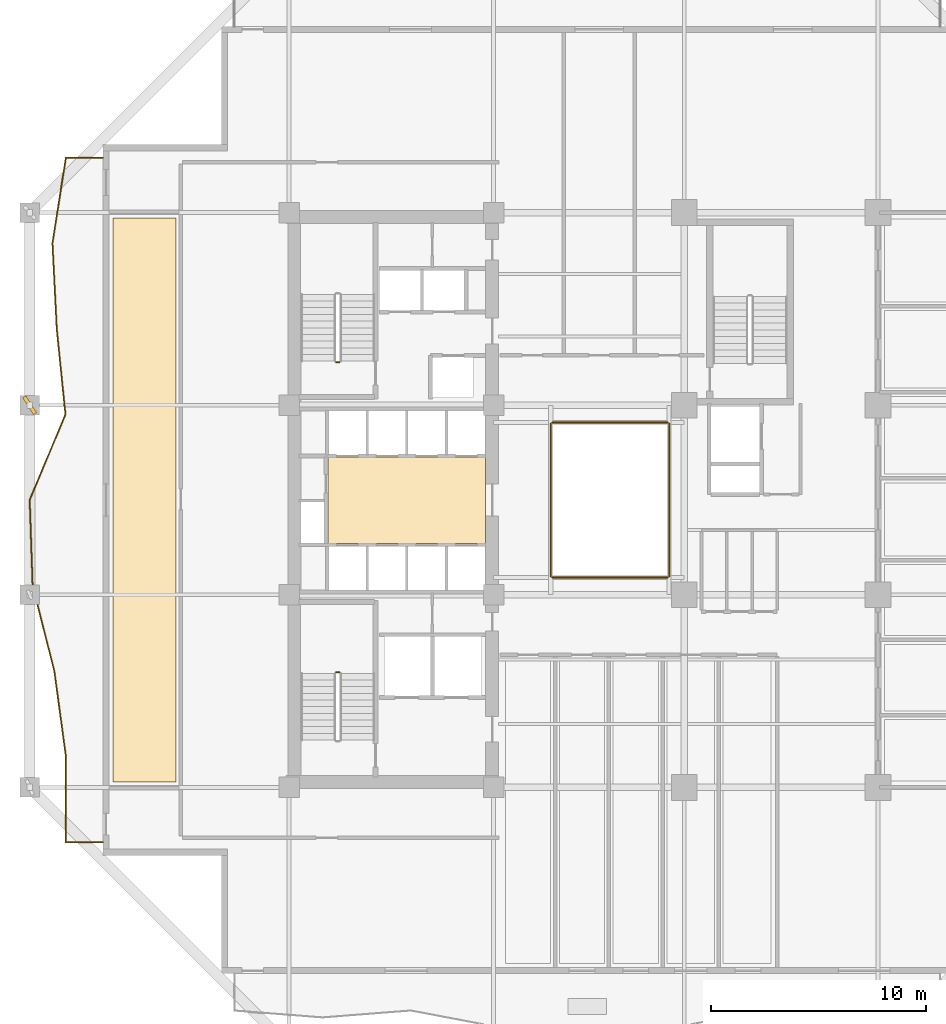
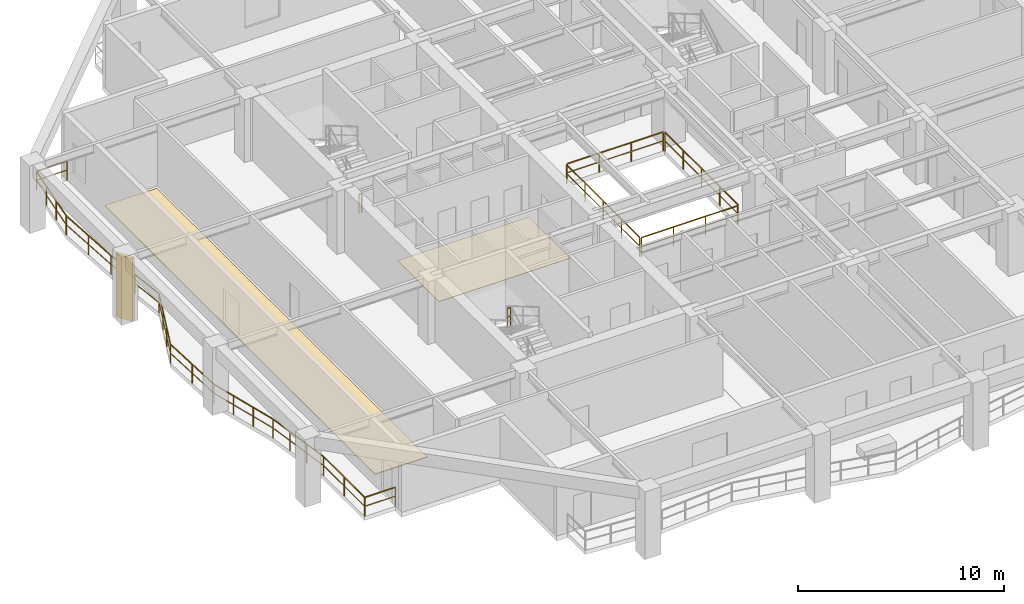
# One storey, part 9 of 13: 7 railings, 2 coverings, 1 shading device.
"""IFC4 building model written with IfcOpenShell, lengths in metres."""

from ifc_helpers import new_model, si_unit, direction, frame, origin, origin_2d, place, context, subcontext, project, spatial, polyline, rectangle, outline, extrude, material, layer, layer_set, type_object, element, save


model = new_model("IFC4")

# Units and contexts
model_context = context("Model", 3, precision=1e-05, world=origin(), true_north=direction((0.0, 1.0)))
body_context = subcontext(model_context, "Body", "Model", "MODEL_VIEW")
ifc_project = project(units=[si_unit("LENGTHUNIT", "METRE"), si_unit("AREAUNIT", "SQUARE_METRE"), si_unit("VOLUMEUNIT", "CUBIC_METRE"), si_unit("PLANEANGLEUNIT", "RADIAN"), si_unit("MASSUNIT", "GRAM", prefix="KILO")], contexts=[model_context])

# Site, building, storey
site_placement = place(None, origin())
site = spatial("IfcSite", under=ifc_project, at=site_placement, CompositionType="ELEMENT")
building_placement = place(site_placement, origin())
building = spatial("IfcBuilding", under=site, at=building_placement, Name="Kundavana Baori Tower", CompositionType="ELEMENT")
storey_placement = place(building_placement, frame((0.0, 0.0, 70.0)))
storey = spatial("IfcBuildingStorey", under=building, at=storey_placement, Name="L16", CompositionType="ELEMENT", Elevation=70.0)

# Coverings
ifc_material_1 = material(Name="Honed Kota Stone and Terrazzo Flooring", Category="masonry")
ifc_layer_1 = layer(ifc_material_1, 0.0400390625, Name="COV-FLR-TERR-40")
ifc_layer_set_1 = layer_set([ifc_layer_1], Name="Honed Kota Stone and Terrazzo Flooring")
covering_type_1 = type_object("IfcCoveringType", Name="COV-FLR-TERR-40", PredefinedType="FLOORING", material=ifc_layer_set_1)
covering_1_placement = place(storey_placement, origin())
element("IfcCovering", 1, at=covering_1_placement, inside=storey, type_object=covering_type_1, Name="L16 Room Finished Stone Flooring 1", PredefinedType="FLOORING", context=body_context, shape_type="SweptSolid", body=[
    extrude(outline(polyline([(7.280029296875, 15.5), (10.199951171875, 15.5), (10.199951171875, 41.699951171875), (7.280029296875, 41.699951171875), (7.280029296875, 15.5)])), origin(), (0.0, 0.0, 1.0), 0.0400390625),
])
ifc_material_2 = material(Name="Honed Kota Stone and Terrazzo Flooring", Category="masonry")
ifc_layer_2 = layer(ifc_material_2, 0.030029296875, Name="COV-INT-FLR")
ifc_layer_set_2 = layer_set([ifc_layer_2], Name="Honed Kota Stone and Terrazzo Flooring")
covering_type_2 = type_object("IfcCoveringType", Name="COV-INT-FLR", PredefinedType="FLOORING", material=ifc_layer_set_2)
covering_2_placement = place(storey_placement, origin())
element("IfcCovering", 2, at=covering_2_placement, inside=storey, type_object=covering_type_2, Name="L16 Core Lift Lobby Kota Stone Flooring", PredefinedType="FLOORING", context=body_context, shape_type="SweptSolid", body=[
    extrude(outline(polyline([(17.25, 26.580078125), (24.580078125, 26.580078125), (24.580078125, 30.60009765625), (17.25, 30.60009765625), (17.25, 26.580078125)])), origin(), (0.0, 0.0, 1.0), 0.030029296875),
])

# Railings
ifc_material_3 = material(Name="Architectural Patinated Bronze Metalwork")
railing_type_1 = type_object("IfcRailingType", Name="RL-BAL-1150", PredefinedType="BALUSTRADE", material=ifc_material_3)
railing_1_placement = place(storey_placement, frame((6.800048828125, 12.699951171875, 0.0)))
element("IfcRailing", 3, at=railing_1_placement, inside=storey, type_object=railing_type_1, Name="L16 Loggia Balcony Balustrade W", PredefinedType="BALUSTRADE", context=body_context, shape_type="SweptSolid", body=[
    extrude(rectangle(XDim=0.048095703125, YDim=0.048095703125, at=origin_2d()), frame((0.0, 0.0, 1.1259765625), z_axis=(-1.0, 0.0, 0.0), x_axis=(0.0, -1.0, 0.0)), (0.0, 0.0, 1.0), 1.719970703125),
    extrude(rectangle(XDim=0.03125, YDim=0.03125, at=origin_2d()), frame((0.0, 0.0, 0.597900390625), z_axis=(-1.0, 0.0, 0.0), x_axis=(0.0, -1.0, 0.0)), (0.0, 0.0, 1.0), 1.719970703125),
    extrude(rectangle(XDim=0.048095703125, YDim=0.048095703125, at=origin_2d()), frame((-1.719970703125, 0.0, 1.1259765625), z_axis=(0.0, 1.0, 0.0), x_axis=(-1.0, 0.0, 0.0)), (0.0, 0.0, 1.0), 3.97509765625),
    extrude(rectangle(XDim=0.03125, YDim=0.03125, at=origin_2d()), frame((-1.719970703125, 0.0, 0.597900390625), z_axis=(0.0, 1.0, 0.0), x_axis=(-1.0, 0.0, 0.0)), (0.0, 0.0, 1.0), 3.97509765625),
    extrude(rectangle(XDim=0.048095703125, YDim=0.048095703125, at=origin_2d()), frame((-1.719970703125, 3.97509765625, 1.1259765625), z_axis=(-0.133909818093, 0.990993521986, 0.0), x_axis=(-0.990993521986, -0.133909818093, 0.0)), (0.0, 0.0, 1.0), 4.010986328125),
    extrude(rectangle(XDim=0.03125, YDim=0.03125, at=origin_2d()), frame((-1.719970703125, 3.97509765625, 0.597900390625), z_axis=(-0.133909818093, 0.990993521986, 0.0), x_axis=(-0.990993521986, -0.133909818093, 0.0)), (0.0, 0.0, 1.0), 4.010986328125),
    extrude(rectangle(XDim=0.048095703125, YDim=0.048095703125, at=origin_2d()), frame((-2.257080078125, 7.949951171875, 1.1259765625), z_axis=(-0.245588298557, 0.969374224751, 0.0), x_axis=(-0.969374224751, -0.245588298557, 0.0)), (0.0, 0.0, 1.0), 4.1005859375),
    extrude(rectangle(XDim=0.03125, YDim=0.03125, at=origin_2d()), frame((-2.257080078125, 7.949951171875, 0.597900390625), z_axis=(-0.245588298557, 0.969374224751, 0.0), x_axis=(-0.969374224751, -0.245588298557, 0.0)), (0.0, 0.0, 1.0), 4.1005859375),
    extrude(rectangle(XDim=0.048095703125, YDim=0.048095703125, at=origin_2d()), frame((-3.26416015625, 11.925048828125, 1.1259765625), z_axis=(-0.034189556503, 0.999415366215, 0.0), x_axis=(-0.999415366215, -0.034189556503, 0.0)), (0.0, 0.0, 1.0), 3.9775390625),
    extrude(rectangle(XDim=0.03125, YDim=0.03125, at=origin_2d()), frame((-3.26416015625, 11.925048828125, 0.597900390625), z_axis=(-0.034189556503, 0.999415366215, 0.0), x_axis=(-0.999415366215, -0.034189556503, 0.0)), (0.0, 0.0, 1.0), 3.9775390625),
    extrude(rectangle(XDim=0.048095703125, YDim=0.048095703125, at=origin_2d()), frame((-3.400146484375, 15.900146484375, 1.1259765625), z_axis=(0.385013830485, 0.922910803022, 0.0), x_axis=(-0.922910803022, 0.385013830485, 0.0)), (0.0, 0.0, 1.0), 4.306884765625),
    extrude(rectangle(XDim=0.03125, YDim=0.03125, at=origin_2d()), frame((-3.400146484375, 15.900146484375, 0.597900390625), z_axis=(0.385013830485, 0.922910803022, 0.0), x_axis=(-0.922910803022, 0.385013830485, 0.0)), (0.0, 0.0, 1.0), 4.306884765625),
    extrude(rectangle(XDim=0.048095703125, YDim=0.048095703125, at=origin_2d()), frame((-1.741943359375, 19.875, 1.1259765625), z_axis=(-0.101124925205, 0.994873735457, 0.0), x_axis=(-0.994873735457, -0.101124925205, 0.0)), (0.0, 0.0, 1.0), 3.99560546875),
    extrude(rectangle(XDim=0.03125, YDim=0.03125, at=origin_2d()), frame((-1.741943359375, 19.875, 0.597900390625), z_axis=(-0.101124925205, 0.994873735457, 0.0), x_axis=(-0.994873735457, -0.101124925205, 0.0)), (0.0, 0.0, 1.0), 3.99560546875),
    extrude(rectangle(XDim=0.048095703125, YDim=0.048095703125, at=origin_2d()), frame((-2.14599609375, 23.85009765625, 1.1259765625), z_axis=(-0.049995748783, 0.99874943059, 0.0), x_axis=(-0.99874943059, -0.049995748783, 0.0)), (0.0, 0.0, 1.0), 3.979736328125),
    extrude(rectangle(XDim=0.03125, YDim=0.03125, at=origin_2d()), frame((-2.14599609375, 23.85009765625, 0.597900390625), z_axis=(-0.049995748783, 0.99874943059, 0.0), x_axis=(-0.99874943059, -0.049995748783, 0.0)), (0.0, 0.0, 1.0), 3.979736328125),
    extrude(rectangle(XDim=0.048095703125, YDim=0.048095703125, at=origin_2d()), frame((-2.344970703125, 27.824951171875, 1.1259765625), z_axis=(0.155320727493, 0.987864095719, 0.0), x_axis=(-0.987864095719, 0.155320727493, 0.0)), (0.0, 0.0, 1.0), 4.02392578125),
    extrude(rectangle(XDim=0.03125, YDim=0.03125, at=origin_2d()), frame((-2.344970703125, 27.824951171875, 0.597900390625), z_axis=(0.155320727493, 0.987864095719, 0.0), x_axis=(-0.987864095719, 0.155320727493, 0.0)), (0.0, 0.0, 1.0), 4.02392578125),
    extrude(rectangle(XDim=0.048095703125, YDim=0.048095703125, at=origin_2d()), frame((-1.719970703125, 31.800048828125, 1.1259765625), z_axis=(1.0, 0.0, 0.0), x_axis=(0.0, 1.0, 0.0)), (0.0, 0.0, 1.0), 1.719970703125),
    extrude(rectangle(XDim=0.03125, YDim=0.03125, at=origin_2d()), frame((-1.719970703125, 31.800048828125, 0.597900390625), z_axis=(1.0, 0.0, 0.0), x_axis=(0.0, 1.0, 0.0)), (0.0, 0.0, 1.0), 1.719970703125),
    extrude(rectangle(XDim=0.0419921875, YDim=0.0419921875, at=origin_2d()), origin(), (0.0, 0.0, 1.0), 1.101806640625),
    extrude(rectangle(XDim=0.0419921875, YDim=0.0419921875, at=origin_2d()), frame((-1.719970703125, 0.0, 0.0)), (0.0, 0.0, 1.0), 1.101806640625),
    extrude(rectangle(XDim=0.0419921875, YDim=0.0419921875, at=origin_2d()), frame((-1.719970703125, 1.987548828125, 0.0)), (0.0, 0.0, 1.0), 1.101806640625),
    extrude(rectangle(XDim=0.0419921875, YDim=0.0419921875, at=origin_2d()), frame((-1.719970703125, 3.97509765625, 0.0)), (0.0, 0.0, 1.0), 1.101806640625),
    extrude(rectangle(XDim=0.0419921875, YDim=0.0419921875, at=origin_2d()), frame((-1.89892578125, 5.300048828125, 0.0)), (0.0, 0.0, 1.0), 1.101806640625),
    extrude(rectangle(XDim=0.0419921875, YDim=0.0419921875, at=origin_2d()), frame((-2.078125, 6.625, 0.0)), (0.0, 0.0, 1.0), 1.101806640625),
    extrude(rectangle(XDim=0.0419921875, YDim=0.0419921875, at=origin_2d()), frame((-2.257080078125, 7.949951171875, 0.0)), (0.0, 0.0, 1.0), 1.101806640625),
    extrude(rectangle(XDim=0.0419921875, YDim=0.0419921875, at=origin_2d()), frame((-2.5927734375, 9.27490234375, 0.0)), (0.0, 0.0, 1.0), 1.101806640625),
    extrude(rectangle(XDim=0.0419921875, YDim=0.0419921875, at=origin_2d()), frame((-2.928466796875, 10.60009765625, 0.0)), (0.0, 0.0, 1.0), 1.101806640625),
    extrude(rectangle(XDim=0.0419921875, YDim=0.0419921875, at=origin_2d()), frame((-3.26416015625, 11.925048828125, 0.0)), (0.0, 0.0, 1.0), 1.101806640625),
    extrude(rectangle(XDim=0.0419921875, YDim=0.0419921875, at=origin_2d()), frame((-3.33203125, 13.91259765625, 0.0)), (0.0, 0.0, 1.0), 1.101806640625),
    extrude(rectangle(XDim=0.0419921875, YDim=0.0419921875, at=origin_2d()), frame((-3.400146484375, 15.900146484375, 0.0)), (0.0, 0.0, 1.0), 1.101806640625),
    extrude(rectangle(XDim=0.0419921875, YDim=0.0419921875, at=origin_2d()), frame((-2.847412109375, 17.22509765625, 0.0)), (0.0, 0.0, 1.0), 1.101806640625),
    extrude(rectangle(XDim=0.0419921875, YDim=0.0419921875, at=origin_2d()), frame((-2.294677734375, 18.550048828125, 0.0)), (0.0, 0.0, 1.0), 1.101806640625),
    extrude(rectangle(XDim=0.0419921875, YDim=0.0419921875, at=origin_2d()), frame((-1.741943359375, 19.875, 0.0)), (0.0, 0.0, 1.0), 1.101806640625),
    extrude(rectangle(XDim=0.0419921875, YDim=0.0419921875, at=origin_2d()), frame((-1.94384765625, 21.862548828125, 0.0)), (0.0, 0.0, 1.0), 1.101806640625),
    extrude(rectangle(XDim=0.0419921875, YDim=0.0419921875, at=origin_2d()), frame((-2.14599609375, 23.85009765625, 0.0)), (0.0, 0.0, 1.0), 1.101806640625),
    extrude(rectangle(XDim=0.0419921875, YDim=0.0419921875, at=origin_2d()), frame((-2.24560546875, 25.83740234375, 0.0)), (0.0, 0.0, 1.0), 1.101806640625),
    extrude(rectangle(XDim=0.0419921875, YDim=0.0419921875, at=origin_2d()), frame((-2.344970703125, 27.824951171875, 0.0)), (0.0, 0.0, 1.0), 1.101806640625),
    extrude(rectangle(XDim=0.0419921875, YDim=0.0419921875, at=origin_2d()), frame((-2.13671875, 29.14990234375, 0.0)), (0.0, 0.0, 1.0), 1.101806640625),
    extrude(rectangle(XDim=0.0419921875, YDim=0.0419921875, at=origin_2d()), frame((-1.92822265625, 30.47509765625, 0.0)), (0.0, 0.0, 1.0), 1.101806640625),
    extrude(rectangle(XDim=0.0419921875, YDim=0.0419921875, at=origin_2d()), frame((-1.719970703125, 31.800048828125, 0.0)), (0.0, 0.0, 1.0), 1.101806640625),
    extrude(rectangle(XDim=0.0419921875, YDim=0.0419921875, at=origin_2d()), frame((0.0, 31.800048828125, 0.0)), (0.0, 0.0, 1.0), 1.101806640625),
])
ifc_material_4 = material(Name="Architectural Patinated Bronze Metalwork")
railing_type_2 = type_object("IfcRailingType", Name="RL-GRD-1150", PredefinedType="GUARDRAIL", material=ifc_material_4)
for number, where, name in (
    (4, (17.7900390625, 20.60009765625, 2.0), "L16 ST1 stair guard 2"),
    (5, (17.7900390625, 35.0, 0.0), "L16 ST2 stair guard 4"),
):
    element("IfcRailing", number, at=place(storey_placement, frame(where)), inside=storey, type_object=railing_type_2, Name=name, PredefinedType="GUARDRAIL", context=body_context, shape_type="SweptSolid", body=[
        extrude(rectangle(XDim=0.048095703125, YDim=0.048095703125, at=origin_2d()), frame((0.0, 0.0, 1.1259765625), z_axis=(-1.0, 0.0, 0.0), x_axis=(0.0, -1.0, 0.0)), (0.0, 0.0, 1.0), 0.16015625),
        extrude(rectangle(XDim=0.03125, YDim=0.03125, at=origin_2d()), frame((0.0, 0.0, 0.597900390625), z_axis=(-1.0, 0.0, 0.0), x_axis=(0.0, -1.0, 0.0)), (0.0, 0.0, 1.0), 0.16015625),
        extrude(rectangle(XDim=0.0419921875, YDim=0.0419921875, at=origin_2d()), origin(), (0.0, 0.0, 1.0), 1.101806640625),
        extrude(rectangle(XDim=0.0419921875, YDim=0.0419921875, at=origin_2d()), frame((-0.16015625, 0.0, 0.0)), (0.0, 0.0, 1.0), 1.101806640625),
    ])
railing_2_placement = place(storey_placement, frame((27.659912109375, 25.0, 0.0)))
element("IfcRailing", 6, at=railing_2_placement, inside=storey, type_object=railing_type_2, Name="L16 Atrium Void Perimeter Guardrail S", PredefinedType="GUARDRAIL", context=body_context, shape_type="SweptSolid", body=[
    extrude(rectangle(XDim=0.048095703125, YDim=0.048095703125, at=origin_2d()), frame((0.0, 0.0, 1.1259765625), z_axis=(1.0, 0.0, 0.0), x_axis=(0.0, 1.0, 0.0)), (0.0, 0.0, 1.0), 5.380126953125),
    extrude(rectangle(XDim=0.03125, YDim=0.03125, at=origin_2d()), frame((0.0, 0.0, 0.597900390625), z_axis=(1.0, 0.0, 0.0), x_axis=(0.0, 1.0, 0.0)), (0.0, 0.0, 1.0), 5.380126953125),
    extrude(rectangle(XDim=0.0419921875, YDim=0.0419921875, at=origin_2d()), origin(), (0.0, 0.0, 1.0), 1.101806640625),
    extrude(rectangle(XDim=0.0419921875, YDim=0.0419921875, at=origin_2d()), frame((1.79345703125, 0.0, 0.0)), (0.0, 0.0, 1.0), 1.101806640625),
    extrude(rectangle(XDim=0.0419921875, YDim=0.0419921875, at=origin_2d()), frame((3.586669921875, 0.0, 0.0)), (0.0, 0.0, 1.0), 1.101806640625),
    extrude(rectangle(XDim=0.0419921875, YDim=0.0419921875, at=origin_2d()), frame((5.380126953125, 0.0, 0.0)), (0.0, 0.0, 1.0), 1.101806640625),
])
railing_3_placement = place(storey_placement, frame((33.10009765625, 25.06005859375, 0.0)))
element("IfcRailing", 7, at=railing_3_placement, inside=storey, type_object=railing_type_2, Name="L16 Atrium Void Perimeter Guardrail E", PredefinedType="GUARDRAIL", context=body_context, shape_type="SweptSolid", body=[
    extrude(rectangle(XDim=0.048095703125, YDim=0.048095703125, at=origin_2d()), frame((0.0, 0.0, 1.1259765625), z_axis=(0.0, 1.0, 0.0), x_axis=(-1.0, 0.0, 0.0)), (0.0, 0.0, 1.0), 7.079833984375),
    extrude(rectangle(XDim=0.03125, YDim=0.03125, at=origin_2d()), frame((0.0, 0.0, 0.597900390625), z_axis=(0.0, 1.0, 0.0), x_axis=(-1.0, 0.0, 0.0)), (0.0, 0.0, 1.0), 7.079833984375),
    extrude(rectangle(XDim=0.0419921875, YDim=0.0419921875, at=origin_2d()), origin(), (0.0, 0.0, 1.0), 1.101806640625),
    extrude(rectangle(XDim=0.0419921875, YDim=0.0419921875, at=origin_2d()), frame((0.0, 1.77001953125, 0.0)), (0.0, 0.0, 1.0), 1.101806640625),
    extrude(rectangle(XDim=0.0419921875, YDim=0.0419921875, at=origin_2d()), frame((0.0, 3.5400390625, 0.0)), (0.0, 0.0, 1.0), 1.101806640625),
    extrude(rectangle(XDim=0.0419921875, YDim=0.0419921875, at=origin_2d()), frame((0.0, 5.309814453125, 0.0)), (0.0, 0.0, 1.0), 1.101806640625),
    extrude(rectangle(XDim=0.0419921875, YDim=0.0419921875, at=origin_2d()), frame((0.0, 7.079833984375, 0.0)), (0.0, 0.0, 1.0), 1.101806640625),
])
railing_4_placement = place(storey_placement, frame((33.0400390625, 32.199951171875, 0.0)))
element("IfcRailing", 8, at=railing_4_placement, inside=storey, type_object=railing_type_2, Name="L16 Atrium Void Perimeter Guardrail N", PredefinedType="GUARDRAIL", context=body_context, shape_type="SweptSolid", body=[
    extrude(rectangle(XDim=0.048095703125, YDim=0.048095703125, at=origin_2d()), frame((0.0, 0.0, 1.1259765625), z_axis=(-1.0, 0.0, 0.0), x_axis=(0.0, -1.0, 0.0)), (0.0, 0.0, 1.0), 5.380126953125),
    extrude(rectangle(XDim=0.03125, YDim=0.03125, at=origin_2d()), frame((0.0, 0.0, 0.597900390625), z_axis=(-1.0, 0.0, 0.0), x_axis=(0.0, -1.0, 0.0)), (0.0, 0.0, 1.0), 5.380126953125),
    extrude(rectangle(XDim=0.0419921875, YDim=0.0419921875, at=origin_2d()), origin(), (0.0, 0.0, 1.0), 1.101806640625),
    extrude(rectangle(XDim=0.0419921875, YDim=0.0419921875, at=origin_2d()), frame((-1.79345703125, 0.0, 0.0)), (0.0, 0.0, 1.0), 1.101806640625),
    extrude(rectangle(XDim=0.0419921875, YDim=0.0419921875, at=origin_2d()), frame((-3.586669921875, 0.0, 0.0)), (0.0, 0.0, 1.0), 1.101806640625),
    extrude(rectangle(XDim=0.0419921875, YDim=0.0419921875, at=origin_2d()), frame((-5.380126953125, 0.0, 0.0)), (0.0, 0.0, 1.0), 1.101806640625),
])
railing_5_placement = place(storey_placement, frame((27.60009765625, 32.139892578125, 0.0)))
element("IfcRailing", 9, at=railing_5_placement, inside=storey, type_object=railing_type_2, Name="L16 Atrium Void Perimeter Guardrail W", PredefinedType="GUARDRAIL", context=body_context, shape_type="SweptSolid", body=[
    extrude(rectangle(XDim=0.048095703125, YDim=0.048095703125, at=origin_2d()), frame((0.0, 0.0, 1.1259765625), z_axis=(0.0, -1.0, 0.0), x_axis=(1.0, 0.0, 0.0)), (0.0, 0.0, 1.0), 7.079833984375),
    extrude(rectangle(XDim=0.03125, YDim=0.03125, at=origin_2d()), frame((0.0, 0.0, 0.597900390625), z_axis=(0.0, -1.0, 0.0), x_axis=(1.0, 0.0, 0.0)), (0.0, 0.0, 1.0), 7.079833984375),
    extrude(rectangle(XDim=0.0419921875, YDim=0.0419921875, at=origin_2d()), origin(), (0.0, 0.0, 1.0), 1.101806640625),
    extrude(rectangle(XDim=0.0419921875, YDim=0.0419921875, at=origin_2d()), frame((0.0, -1.77001953125, 0.0)), (0.0, 0.0, 1.0), 1.101806640625),
    extrude(rectangle(XDim=0.0419921875, YDim=0.0419921875, at=origin_2d()), frame((0.0, -3.5400390625, 0.0)), (0.0, 0.0, 1.0), 1.101806640625),
    extrude(rectangle(XDim=0.0419921875, YDim=0.0419921875, at=origin_2d()), frame((0.0, -5.309814453125, 0.0)), (0.0, 0.0, 1.0), 1.101806640625),
    extrude(rectangle(XDim=0.0419921875, YDim=0.0419921875, at=origin_2d()), frame((0.0, -7.079833984375, 0.0)), (0.0, 0.0, 1.0), 1.101806640625),
])

# Shading device
ifc_material_5 = material(Name="Red-Buff Dholpur Sandstone Cladding on Concrete C40/50", Category="masonry")
shading_device_type = type_object("IfcShadingDeviceType", Name="SHD-FIN-920", PredefinedType="JALOUSIE", material=ifc_material_5)
shading_device_placement = place(storey_placement, frame((3.39990234375, 33.0, 0.0), z_axis=(0.0, 0.0, 1.0), x_axis=(0.844888578952, 0.534942323205, 0.0)))
element("IfcShadingDevice", 10, at=shading_device_placement, inside=storey, type_object=shading_device_type, Name="L16 Sweeping Dholpur Sandstone Facade Fin 7", PredefinedType="JALOUSIE", context=body_context, shape_type="SweptSolid", body=[
    extrude(rectangle(XDim=0.179931640625, YDim=0.919921875, at=origin_2d()), origin(), (0.0, 0.0, 1.0), 3.719970703125),
])

save(model, "model.ifc")
